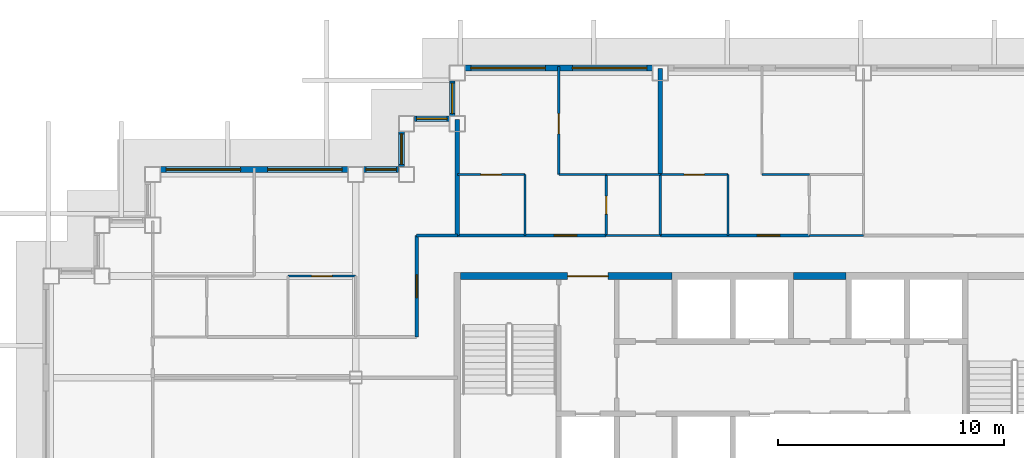
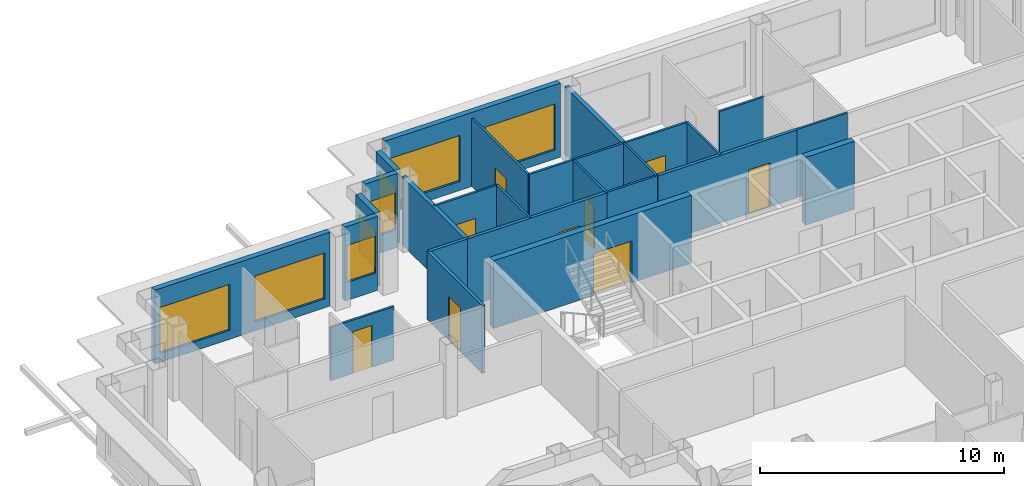
# One storey, part 6 of 12: 27 walls, 9 doors, 8 windows, 17 openings.
"""IFC4 building model written with IfcOpenShell, lengths in metres."""

from ifc_helpers import new_model, si_unit, direction, frame, frame_2d, origin, place, context, subcontext, project, spatial, rectangle, extrude, material, layer, layer_set, type_object, element, fill, save


model = new_model("IFC4")

# Units and contexts
model_context = context("Model", 3, precision=1e-05, world=origin(), true_north=direction((0.0, 1.0)))
body_context = subcontext(model_context, "Body", "Model", "MODEL_VIEW")
ifc_project = project(units=[si_unit("LENGTHUNIT", "METRE"), si_unit("AREAUNIT", "SQUARE_METRE"), si_unit("VOLUMEUNIT", "CUBIC_METRE"), si_unit("PLANEANGLEUNIT", "RADIAN"), si_unit("MASSUNIT", "GRAM", prefix="KILO")], contexts=[model_context])

# Site, building, storey
site_placement = place(None, origin())
site = spatial("IfcSite", under=ifc_project, at=site_placement, CompositionType="ELEMENT")
building_placement = place(site_placement, origin())
building = spatial("IfcBuilding", under=site, at=building_placement, Name="Caravel Reach Hotel and Residences", CompositionType="ELEMENT")
storey_placement = place(building_placement, frame((0.0, 0.0, 203.5)))
storey = spatial("IfcBuildingStorey", under=building, at=storey_placement, Name="L51", CompositionType="ELEMENT", Elevation=203.5)

# Walls
ifc_material_1 = material(Name="Gypsum board on steel stud", Category="steel")
ifc_layer_1 = layer(ifc_material_1, 0.10009765625)
ifc_layer_set_1 = layer_set([ifc_layer_1], Name="Bathroom pod wall 100 mm")
wall_type_1 = type_object("IfcWallType", Name="Bathroom pod wall 100 mm", PredefinedType="PARTITIONING", material=ifc_layer_set_1)
for number, where, z_axis, x_axis, name in (
    (1, (24.60009765625, 33.300048828125, 0.0), (0.0, 0.0, 1.0), (1.0, 0.0, 0.0), "L51 wall w068"),
    (2, (33.60009765625, 33.300048828125, 0.0), (0.0, 0.0, 1.0), (1.0, 0.0, 0.0), "L51 wall w069"),
    (3, (24.60009765625, 36.0, 0.0), (0.0, 0.0, 1.0), (1.0, 0.0, 0.0), "L51 wall w070"),
):
    element("IfcWall", number, at=place(storey_placement, frame(where, z_axis=z_axis, x_axis=x_axis)), inside=storey, type_object=wall_type_1, Name=name, PredefinedType="PARTITIONING", context=body_context, shape_type="SweptSolid", body=[
        extrude(rectangle(XDim=2.39990234375, YDim=0.10009765625, at=frame_2d((1.199951171875, 0.0))), origin(), (0.0, 0.0, 1.0), 3.39990234375),
    ])

# Wall, opening, door
wall_1_placement = place(storey_placement, frame((24.60009765625, 33.300048828125, 0.0), z_axis=(0.0, 0.0, 1.0), x_axis=(0.0, 1.0, 0.0)))
wall_1 = element("IfcWall", 4, at=wall_1_placement, inside=storey, type_object=wall_type_1, Name="L51 wall w074", PredefinedType="PARTITIONING", context=body_context, shape_type="SweptSolid", body=[
    extrude(rectangle(XDim=2.699951171875, YDim=0.10009765625, at=frame_2d((1.35009765625, 0.0))), origin(), (0.0, 0.0, 1.0), 3.39990234375),
])
opening_1_placement = place(wall_1_placement, frame((0.949951171875, 0.0, 0.0)))
opening_1 = element("IfcOpeningElement", 5, at=opening_1_placement, cuts=wall_1, Name="Opening D51-019", PredefinedType="OPENING", context=body_context, shape_type="SweptSolid", body=[
    extrude(rectangle(XDim=0.800048828125, YDim=2.10009765625, at=frame_2d((0.39990234375, 1.050048828125))), frame((0.0, 0.06005859375, 0.0), z_axis=(0.0, -1.0, 0.0), x_axis=(1.0, 0.0, 0.0)), (0.0, 0.0, 1.0), 0.1201171875),
])
ifc_material_2 = material(Name="Timber and steel door leaf", Category="steel")
door_type_1 = type_object("IfcDoorType", Name="Bathroom door 800 x 2100", OperationType="SINGLE_SWING_LEFT", PredefinedType="DOOR", material=ifc_material_2)
door_1_placement = place(opening_1_placement, origin())
door_1 = element("IfcDoor", 6, at=door_1_placement, inside=storey, type_object=door_type_1, Name="door D51-019", OperationType="SINGLE_SWING_LEFT", OverallHeight=2.10009765625, OverallWidth=0.800048828125, PredefinedType="DOOR", context=body_context, shape_type="SweptSolid", body=[
    extrude(rectangle(XDim=0.800048828125, YDim=2.10009765625, at=frame_2d((0.39990234375, 1.050048828125))), frame((0.0, 0.02490234375, 0.0), z_axis=(0.0, -1.0, 0.0), x_axis=(1.0, 0.0, 0.0)), (0.0, 0.0, 1.0), 0.050048828125),
])
fill(opening_1, door_1)

# Wall
wall_2_placement = place(storey_placement, frame((27.0, 33.300048828125, 0.0), z_axis=(0.0, 0.0, 1.0), x_axis=(0.0, 1.0, 0.0)))
element("IfcWall", 7, at=wall_2_placement, inside=storey, type_object=wall_type_1, Name="L51 wall w075", PredefinedType="PARTITIONING", context=body_context, shape_type="SweptSolid", body=[
    extrude(rectangle(XDim=2.699951171875, YDim=0.10009765625, at=frame_2d((1.35009765625, 0.0))), origin(), (0.0, 0.0, 1.0), 3.39990234375),
])

# Wall, opening, door
ifc_material_3 = material(Name="Concrete C60", Category="concrete")
ifc_layer_2 = layer(ifc_material_3, 0.300048828125)
ifc_layer_set_2 = layer_set([ifc_layer_2], Name="Core wall 300 mm EI 120")
wall_type_2 = type_object("IfcWallType", Name="Core wall 300 mm EI 120", PredefinedType="SHEAR", material=ifc_layer_set_2)
wall_3_placement = place(storey_placement, frame((18.14990234375, 31.5, 0.0), z_axis=(0.0, 0.0, 1.0), x_axis=(1.0, 0.0, 0.0)))
wall_3 = element("IfcWall", 8, at=wall_3_placement, inside=storey, type_object=wall_type_2, Name="L51 core wall N1", PredefinedType="SHEAR", context=body_context, shape_type="SweptSolid", body=[
    extrude(rectangle(XDim=9.367919921875, YDim=0.300048828125, at=frame_2d((4.68408203125, 0.0))), origin(), (0.0, 0.0, 1.0), 3.39990234375),
])
opening_2_placement = place(wall_3_placement, frame((4.735595703125, 0.0, 0.0)))
opening_2 = element("IfcOpeningElement", 9, at=opening_2_placement, cuts=wall_3, Name="Opening D51-015", PredefinedType="OPENING", context=body_context, shape_type="SweptSolid", body=[
    extrude(rectangle(XDim=1.800048828125, YDim=2.10009765625, at=frame_2d((0.89990234375, 1.050048828125))), frame((0.0, 0.159912109375, 0.0), z_axis=(0.0, -1.0, 0.0), x_axis=(1.0, 0.0, 0.0)), (0.0, 0.0, 1.0), 0.320068359375),
])
ifc_material_4 = material(Name="Steel fire door leaf", Category="steel")
door_type_2 = type_object("IfcDoorType", Name="Fire lobby door pair 1800 x 2100 EI 90", OperationType="DOUBLE_DOOR_SINGLE_SWING", PredefinedType="DOOR", material=ifc_material_4)
door_2_placement = place(opening_2_placement, origin())
door_2 = element("IfcDoor", 10, at=door_2_placement, inside=storey, type_object=door_type_2, Name="lobby N door pair to corridor", OperationType="DOUBLE_DOOR_SINGLE_SWING", OverallHeight=2.10009765625, OverallWidth=1.800048828125, PredefinedType="DOOR", context=body_context, shape_type="SweptSolid", body=[
    extrude(rectangle(XDim=1.800048828125, YDim=2.10009765625, at=frame_2d((0.89990234375, 1.050048828125))), frame((0.0, 0.02490234375, 0.0), z_axis=(0.0, -1.0, 0.0), x_axis=(1.0, 0.0, 0.0)), (0.0, 0.0, 1.0), 0.050048828125),
])
fill(opening_2, door_2)

# Wall
wall_4_placement = place(storey_placement, frame((32.91064453125, 31.5, 0.0), z_axis=(0.0, 0.0, 1.0), x_axis=(1.0, 0.0, 0.0)))
element("IfcWall", 11, at=wall_4_placement, inside=storey, type_object=wall_type_2, Name="L51 core wall N2", PredefinedType="SHEAR", context=body_context, shape_type="SweptSolid", body=[
    extrude(rectangle(XDim=2.321533203125, YDim=0.300048828125, at=frame_2d((1.16064453125, 0.0))), origin(), (0.0, 0.0, 1.0), 3.39990234375),
])

# Wall, opening, door
ifc_material_5 = material(Name="Gypsum board on steel stud, fire-rated", Category="steel")
ifc_layer_3 = layer(ifc_material_5, 0.14990234375)
ifc_layer_set_3 = layer_set([ifc_layer_3], Name="Corridor wall 150 mm EI 60")
wall_type_3 = type_object("IfcWallType", Name="Corridor wall 150 mm EI 60", PredefinedType="PARTITIONING", material=ifc_layer_set_3)
wall_5_placement = place(storey_placement, frame((18.0, 33.300048828125, 0.0), z_axis=(0.0, 0.0, 1.0), x_axis=(1.0, 0.0, 0.0)))
wall_5 = element("IfcWall", 12, at=wall_5_placement, inside=storey, type_object=wall_type_3, Name="L51 wall w011", PredefinedType="PARTITIONING", context=body_context, shape_type="SweptSolid", body=[
    extrude(rectangle(XDim=6.60009765625, YDim=0.14990234375, at=frame_2d((3.300048828125, 0.0))), origin(), (0.0, 0.0, 1.0), 3.39990234375),
])
opening_3_placement = place(wall_5_placement, frame((4.300048828125, 0.0, 0.0)))
opening_3 = element("IfcOpeningElement", 13, at=opening_3_placement, cuts=wall_5, Name="Opening D51-017", PredefinedType="OPENING", context=body_context, shape_type="SweptSolid", body=[
    extrude(rectangle(XDim=1.0, YDim=2.199951171875, at=frame_2d((0.5, 1.10009765625))), frame((0.0, 0.0849609375, 0.0), z_axis=(0.0, -1.0, 0.0), x_axis=(1.0, 0.0, 0.0)), (0.0, 0.0, 1.0), 0.169921875),
])
ifc_material_6 = material(Name="Steel fire door leaf", Category="steel")
door_type_3 = type_object("IfcDoorType", Name="Flat entrance door 1000 x 2200 EI 60", OperationType="SINGLE_SWING_LEFT", PredefinedType="DOOR", material=ifc_material_6)
door_3_placement = place(opening_3_placement, origin())
door_3 = element("IfcDoor", 14, at=door_3_placement, inside=storey, type_object=door_type_3, Name="door D51-017", OperationType="SINGLE_SWING_LEFT", OverallHeight=2.199951171875, OverallWidth=1.0, PredefinedType="DOOR", context=body_context, shape_type="SweptSolid", body=[
    extrude(rectangle(XDim=1.0, YDim=2.199951171875, at=frame_2d((0.5, 1.10009765625))), frame((0.0, 0.02490234375, 0.0), z_axis=(0.0, -1.0, 0.0), x_axis=(1.0, 0.0, 0.0)), (0.0, 0.0, 1.0), 0.050048828125),
])
fill(opening_3, door_3)

wall_6_placement = place(storey_placement, frame((27.0, 33.300048828125, 0.0), z_axis=(0.0, 0.0, 1.0), x_axis=(1.0, 0.0, 0.0)))
wall_6 = element("IfcWall", 15, at=wall_6_placement, inside=storey, type_object=wall_type_3, Name="L51 wall w013", PredefinedType="PARTITIONING", context=body_context, shape_type="SweptSolid", body=[
    extrude(rectangle(XDim=6.60009765625, YDim=0.14990234375, at=frame_2d((3.300048828125, 0.0))), origin(), (0.0, 0.0, 1.0), 3.39990234375),
])
opening_4_placement = place(wall_6_placement, frame((4.300048828125, 0.0, 0.0)))
opening_4 = element("IfcOpeningElement", 16, at=opening_4_placement, cuts=wall_6, Name="Opening D51-021", PredefinedType="OPENING", context=body_context, shape_type="SweptSolid", body=[
    extrude(rectangle(XDim=1.0, YDim=2.199951171875, at=frame_2d((0.5, 1.10009765625))), frame((0.0, 0.0849609375, 0.0), z_axis=(0.0, -1.0, 0.0), x_axis=(1.0, 0.0, 0.0)), (0.0, 0.0, 1.0), 0.169921875),
])
door_4_placement = place(opening_4_placement, origin())
door_4 = element("IfcDoor", 17, at=door_4_placement, inside=storey, type_object=door_type_3, Name="door D51-021", OperationType="SINGLE_SWING_LEFT", OverallHeight=2.199951171875, OverallWidth=1.0, PredefinedType="DOOR", context=body_context, shape_type="SweptSolid", body=[
    extrude(rectangle(XDim=1.0, YDim=2.199951171875, at=frame_2d((0.5, 1.10009765625))), frame((0.0, 0.02490234375, 0.0), z_axis=(0.0, -1.0, 0.0), x_axis=(1.0, 0.0, 0.0)), (0.0, 0.0, 1.0), 0.050048828125),
])
fill(opening_4, door_4)

# Wall
wall_7_placement = place(storey_placement, frame((16.199951171875, 33.300048828125, 0.0), z_axis=(0.0, 0.0, 1.0), x_axis=(1.0, 0.0, 0.0)))
element("IfcWall", 18, at=wall_7_placement, inside=storey, type_object=wall_type_3, Name="L51 wall w015", PredefinedType="PARTITIONING", context=body_context, shape_type="SweptSolid", body=[
    extrude(rectangle(XDim=1.799072265625, YDim=0.14990234375, at=frame_2d((0.8994140625, 0.0))), origin(), (0.0, 0.0, 1.0), 3.39990234375),
])

# Wall, opening, door
wall_8_placement = place(storey_placement, frame((16.199951171875, 28.801025390625, 0.0), z_axis=(0.0, 0.0, 1.0), x_axis=(0.0, 1.0, 0.0)))
wall_8 = element("IfcWall", 19, at=wall_8_placement, inside=storey, type_object=wall_type_3, Name="L51 wall w017", PredefinedType="PARTITIONING", context=body_context, shape_type="SweptSolid", body=[
    extrude(rectangle(XDim=4.4990234375, YDim=0.14990234375, at=frame_2d((2.24951171875, 0.0))), origin(), (0.0, 0.0, 1.0), 3.39990234375),
])
opening_5_placement = place(wall_8_placement, frame((1.74951171875, 0.0, 0.0)))
opening_5 = element("IfcOpeningElement", 20, at=opening_5_placement, cuts=wall_8, Name="Opening D51-026", PredefinedType="OPENING", context=body_context, shape_type="SweptSolid", body=[
    extrude(rectangle(XDim=1.0, YDim=2.199951171875, at=frame_2d((0.5, 1.10009765625))), frame((0.0, 0.0849609375, 0.0), z_axis=(0.0, -1.0, 0.0), x_axis=(1.0, 0.0, 0.0)), (0.0, 0.0, 1.0), 0.169921875),
])
door_5_placement = place(opening_5_placement, origin())
door_5 = element("IfcDoor", 21, at=door_5_placement, inside=storey, type_object=door_type_3, Name="door D51-026", OperationType="SINGLE_SWING_RIGHT", OverallHeight=2.199951171875, OverallWidth=1.0, PredefinedType="DOOR", context=body_context, shape_type="SweptSolid", body=[
    extrude(rectangle(XDim=1.0, YDim=2.199951171875, at=frame_2d((0.5, 1.10009765625))), frame((0.0, 0.02490234375, 0.0), z_axis=(0.0, -1.0, 0.0), x_axis=(1.0, 0.0, 0.0)), (0.0, 0.0, 1.0), 0.050048828125),
])
fill(opening_5, door_5)

# Wall, openings, windows
ifc_material_7 = material(Name="Insulated rainscreen wall, aluminium cladding", Category="aluminium")
ifc_layer_4 = layer(ifc_material_7, 0.25)
ifc_layer_set_4 = layer_set([ifc_layer_4], Name="EW1 Tower rainscreen wall")
wall_type_4 = type_object("IfcWallType", Name="EW1 Tower rainscreen wall", PredefinedType="SOLIDWALL", material=ifc_layer_set_4)
wall_9_placement = place(storey_placement, frame((26.64990234375, 40.72509765625, 0.0), z_axis=(0.0, 0.0, 1.0), x_axis=(-1.0, 0.0, 0.0)))
wall_9 = element("IfcWall", 22, at=wall_9_placement, inside=storey, type_object=wall_type_4, Name="External wall L51 N11.3", PredefinedType="SOLIDWALL", context=body_context, shape_type="SweptSolid", body=[
    extrude(rectangle(XDim=8.2998046875, YDim=0.25, at=frame_2d((4.14990234375, 0.0))), origin(), (0.0, 0.0, 1.0), 3.699951171875),
])
opening_6_placement = place(wall_9_placement, frame((0.25, 0.0, 0.449951171875)))
opening_6 = element("IfcOpeningElement", 23, at=opening_6_placement, cuts=wall_9, Name="Opening WN15", PredefinedType="OPENING", context=body_context, shape_type="SweptSolid", body=[
    extrude(rectangle(XDim=3.300048828125, YDim=2.300048828125, at=frame_2d((1.64990234375, 1.14990234375))), frame((0.0, 0.135009765625, 0.0), z_axis=(0.0, -1.0, 0.0), x_axis=(1.0, 0.0, 0.0)), (0.0, 0.0, 1.0), 0.27001953125),
])
opening_7_placement = place(wall_9_placement, frame((4.75, 0.0, 0.449951171875)))
opening_7 = element("IfcOpeningElement", 24, at=opening_7_placement, cuts=wall_9, Name="Opening WN15", PredefinedType="OPENING", context=body_context, shape_type="SweptSolid", body=[
    extrude(rectangle(XDim=3.300048828125, YDim=2.300048828125, at=frame_2d((1.64990234375, 1.14990234375))), frame((0.0, 0.135009765625, 0.0), z_axis=(0.0, -1.0, 0.0), x_axis=(1.0, 0.0, 0.0)), (0.0, 0.0, 1.0), 0.27001953125),
])
ifc_material_8 = material(Name="Dark low-e glazing in black aluminium frame", Category="aluminium")
window_type_1 = type_object("IfcWindowType", Name="Residence living window 3300 x 2300", PartitioningType="SINGLE_PANEL", PredefinedType="WINDOW", material=ifc_material_8)
window_1_placement = place(opening_6_placement, origin())
window_1 = element("IfcWindow", 25, at=window_1_placement, inside=storey, type_object=window_type_1, Name="Window L51 N11.3.1", OverallHeight=2.300048828125, OverallWidth=3.300048828125, PartitioningType="SINGLE_PANEL", PredefinedType="WINDOW", context=body_context, shape_type="SweptSolid", body=[
    extrude(rectangle(XDim=3.300048828125, YDim=2.300048828125, at=frame_2d((1.64990234375, 1.14990234375))), frame((0.0, 0.030029296875, 0.0), z_axis=(0.0, -1.0, 0.0), x_axis=(1.0, 0.0, 0.0)), (0.0, 0.0, 1.0), 0.06005859375),
])
fill(opening_6, window_1)
window_2_placement = place(opening_7_placement, origin())
window_2 = element("IfcWindow", 26, at=window_2_placement, inside=storey, type_object=window_type_1, Name="Window L51 N11.3.2", OverallHeight=2.300048828125, OverallWidth=3.300048828125, PartitioningType="SINGLE_PANEL", PredefinedType="WINDOW", context=body_context, shape_type="SweptSolid", body=[
    extrude(rectangle(XDim=3.300048828125, YDim=2.300048828125, at=frame_2d((1.64990234375, 1.14990234375))), frame((0.0, 0.030029296875, 0.0), z_axis=(0.0, -1.0, 0.0), x_axis=(1.0, 0.0, 0.0)), (0.0, 0.0, 1.0), 0.06005859375),
])
fill(opening_7, window_2)

# Wall, opening, window
wall_10_placement = place(storey_placement, frame((17.77490234375, 40.14990234375, 0.0), z_axis=(0.0, 0.0, 1.0), x_axis=(0.0, -1.0, 0.0)))
wall_10 = element("IfcWall", 27, at=wall_10_placement, inside=storey, type_object=wall_type_4, Name="External wall L51 W12.1", PredefinedType="SOLIDWALL", context=body_context, shape_type="SweptSolid", body=[
    extrude(rectangle(XDim=1.5498046875, YDim=0.25, at=frame_2d((0.77490234375, 0.0))), origin(), (0.0, 0.0, 1.0), 3.699951171875),
])
opening_8_placement = place(wall_10_placement, frame((0.10009765625, 0.0, 0.89990234375)))
opening_8 = element("IfcOpeningElement", 28, at=opening_8_placement, cuts=wall_10, Name="Opening WN21", PredefinedType="OPENING", context=body_context, shape_type="SweptSolid", body=[
    extrude(rectangle(XDim=1.35009765625, YDim=1.85009765625, at=frame_2d((0.675048828125, 0.925048828125))), frame((0.0, 0.135009765625, 0.0), z_axis=(0.0, -1.0, 0.0), x_axis=(1.0, 0.0, 0.0)), (0.0, 0.0, 1.0), 0.27001953125),
])
ifc_material_9 = material(Name="Dark low-e glazing in black aluminium frame", Category="aluminium")
window_type_2 = type_object("IfcWindowType", Name="Residence bedroom window 1350 x 1850", PartitioningType="SINGLE_PANEL", PredefinedType="WINDOW", material=ifc_material_9)
window_3_placement = place(opening_8_placement, origin())
window_3 = element("IfcWindow", 29, at=window_3_placement, inside=storey, type_object=window_type_2, Name="Window L51 W12.1.1", OverallHeight=1.85009765625, OverallWidth=1.35009765625, PartitioningType="SINGLE_PANEL", PredefinedType="WINDOW", context=body_context, shape_type="SweptSolid", body=[
    extrude(rectangle(XDim=1.35009765625, YDim=1.85009765625, at=frame_2d((0.675048828125, 0.925048828125))), frame((0.0, 0.030029296875, 0.0), z_axis=(0.0, -1.0, 0.0), x_axis=(1.0, 0.0, 0.0)), (0.0, 0.0, 1.0), 0.06005859375),
])
fill(opening_8, window_3)

wall_11_placement = place(storey_placement, frame((17.64990234375, 38.47509765625, 0.0), z_axis=(0.0, 0.0, 1.0), x_axis=(-1.0, 0.0, 0.0)))
wall_11 = element("IfcWall", 30, at=wall_11_placement, inside=storey, type_object=wall_type_4, Name="External wall L51 N13.1", PredefinedType="SOLIDWALL", context=body_context, shape_type="SweptSolid", body=[
    extrude(rectangle(XDim=1.5498046875, YDim=0.25, at=frame_2d((0.77490234375, 0.0))), origin(), (0.0, 0.0, 1.0), 3.699951171875),
])
opening_9_placement = place(wall_11_placement, frame((0.10009765625, 0.0, 0.89990234375)))
opening_9 = element("IfcOpeningElement", 31, at=opening_9_placement, cuts=wall_11, Name="Opening WN21", PredefinedType="OPENING", context=body_context, shape_type="SweptSolid", body=[
    extrude(rectangle(XDim=1.35009765625, YDim=1.85009765625, at=frame_2d((0.675048828125, 0.925048828125))), frame((0.0, 0.135009765625, 0.0), z_axis=(0.0, -1.0, 0.0), x_axis=(1.0, 0.0, 0.0)), (0.0, 0.0, 1.0), 0.27001953125),
])
window_4_placement = place(opening_9_placement, origin())
window_4 = element("IfcWindow", 32, at=window_4_placement, inside=storey, type_object=window_type_2, Name="Window L51 N13.1.1", OverallHeight=1.85009765625, OverallWidth=1.35009765625, PartitioningType="SINGLE_PANEL", PredefinedType="WINDOW", context=body_context, shape_type="SweptSolid", body=[
    extrude(rectangle(XDim=1.35009765625, YDim=1.85009765625, at=frame_2d((0.675048828125, 0.925048828125))), frame((0.0, 0.030029296875, 0.0), z_axis=(0.0, -1.0, 0.0), x_axis=(1.0, 0.0, 0.0)), (0.0, 0.0, 1.0), 0.06005859375),
])
fill(opening_9, window_4)

wall_12_placement = place(storey_placement, frame((15.52490234375, 37.89990234375, 0.0), z_axis=(0.0, 0.0, 1.0), x_axis=(0.0, -1.0, 0.0)))
wall_12 = element("IfcWall", 33, at=wall_12_placement, inside=storey, type_object=wall_type_4, Name="External wall L51 W14.1", PredefinedType="SOLIDWALL", context=body_context, shape_type="SweptSolid", body=[
    extrude(rectangle(XDim=1.5498046875, YDim=0.25, at=frame_2d((0.77490234375, 0.0))), origin(), (0.0, 0.0, 1.0), 3.699951171875),
])
opening_10_placement = place(wall_12_placement, frame((0.10009765625, 0.0, 0.89990234375)))
opening_10 = element("IfcOpeningElement", 34, at=opening_10_placement, cuts=wall_12, Name="Opening WN21", PredefinedType="OPENING", context=body_context, shape_type="SweptSolid", body=[
    extrude(rectangle(XDim=1.35009765625, YDim=1.85009765625, at=frame_2d((0.675048828125, 0.925048828125))), frame((0.0, 0.135009765625, 0.0), z_axis=(0.0, -1.0, 0.0), x_axis=(1.0, 0.0, 0.0)), (0.0, 0.0, 1.0), 0.27001953125),
])
window_5_placement = place(opening_10_placement, origin())
window_5 = element("IfcWindow", 35, at=window_5_placement, inside=storey, type_object=window_type_2, Name="Window L51 W14.1.1", OverallHeight=1.85009765625, OverallWidth=1.35009765625, PartitioningType="SINGLE_PANEL", PredefinedType="WINDOW", context=body_context, shape_type="SweptSolid", body=[
    extrude(rectangle(XDim=1.35009765625, YDim=1.85009765625, at=frame_2d((0.675048828125, 0.925048828125))), frame((0.0, 0.030029296875, 0.0), z_axis=(0.0, -1.0, 0.0), x_axis=(1.0, 0.0, 0.0)), (0.0, 0.0, 1.0), 0.06005859375),
])
fill(opening_10, window_5)

wall_13_placement = place(storey_placement, frame((15.39990234375, 36.22509765625, 0.0), z_axis=(0.0, 0.0, 1.0), x_axis=(-1.0, 0.0, 0.0)))
wall_13 = element("IfcWall", 36, at=wall_13_placement, inside=storey, type_object=wall_type_4, Name="External wall L51 N15.1", PredefinedType="SOLIDWALL", context=body_context, shape_type="SweptSolid", body=[
    extrude(rectangle(XDim=1.5498046875, YDim=0.25, at=frame_2d((0.77490234375, 0.0))), origin(), (0.0, 0.0, 1.0), 3.699951171875),
])
opening_11_placement = place(wall_13_placement, frame((0.10009765625, 0.0, 0.89990234375)))
opening_11 = element("IfcOpeningElement", 37, at=opening_11_placement, cuts=wall_13, Name="Opening WN21", PredefinedType="OPENING", context=body_context, shape_type="SweptSolid", body=[
    extrude(rectangle(XDim=1.35009765625, YDim=1.85009765625, at=frame_2d((0.675048828125, 0.925048828125))), frame((0.0, 0.135009765625, 0.0), z_axis=(0.0, -1.0, 0.0), x_axis=(1.0, 0.0, 0.0)), (0.0, 0.0, 1.0), 0.27001953125),
])
window_6_placement = place(opening_11_placement, origin())
window_6 = element("IfcWindow", 38, at=window_6_placement, inside=storey, type_object=window_type_2, Name="Window L51 N15.1.1", OverallHeight=1.85009765625, OverallWidth=1.35009765625, PartitioningType="SINGLE_PANEL", PredefinedType="WINDOW", context=body_context, shape_type="SweptSolid", body=[
    extrude(rectangle(XDim=1.35009765625, YDim=1.85009765625, at=frame_2d((0.675048828125, 0.925048828125))), frame((0.0, 0.030029296875, 0.0), z_axis=(0.0, -1.0, 0.0), x_axis=(1.0, 0.0, 0.0)), (0.0, 0.0, 1.0), 0.06005859375),
])
fill(opening_11, window_6)

# Wall, openings, windows
wall_14_placement = place(storey_placement, frame((13.14990234375, 36.22509765625, 0.0), z_axis=(0.0, 0.0, 1.0), x_axis=(-1.0, 0.0, 0.0)))
wall_14 = element("IfcWall", 39, at=wall_14_placement, inside=storey, type_object=wall_type_4, Name="External wall L51 N15.2", PredefinedType="SOLIDWALL", context=body_context, shape_type="SweptSolid", body=[
    extrude(rectangle(XDim=8.2998046875, YDim=0.25, at=frame_2d((4.14990234375, 0.0))), origin(), (0.0, 0.0, 1.0), 3.699951171875),
])
opening_12_placement = place(wall_14_placement, frame((0.25, 0.0, 0.449951171875)))
opening_12 = element("IfcOpeningElement", 40, at=opening_12_placement, cuts=wall_14, Name="Opening WN15", PredefinedType="OPENING", context=body_context, shape_type="SweptSolid", body=[
    extrude(rectangle(XDim=3.300048828125, YDim=2.300048828125, at=frame_2d((1.64990234375, 1.14990234375))), frame((0.0, 0.135009765625, 0.0), z_axis=(0.0, -1.0, 0.0), x_axis=(1.0, 0.0, 0.0)), (0.0, 0.0, 1.0), 0.27001953125),
])
opening_13_placement = place(wall_14_placement, frame((4.75, 0.0, 0.449951171875)))
opening_13 = element("IfcOpeningElement", 41, at=opening_13_placement, cuts=wall_14, Name="Opening WN15", PredefinedType="OPENING", context=body_context, shape_type="SweptSolid", body=[
    extrude(rectangle(XDim=3.300048828125, YDim=2.300048828125, at=frame_2d((1.64990234375, 1.14990234375))), frame((0.0, 0.135009765625, 0.0), z_axis=(0.0, -1.0, 0.0), x_axis=(1.0, 0.0, 0.0)), (0.0, 0.0, 1.0), 0.27001953125),
])
window_7_placement = place(opening_12_placement, origin())
window_7 = element("IfcWindow", 42, at=window_7_placement, inside=storey, type_object=window_type_1, Name="Window L51 N15.2.1", OverallHeight=2.300048828125, OverallWidth=3.300048828125, PartitioningType="SINGLE_PANEL", PredefinedType="WINDOW", context=body_context, shape_type="SweptSolid", body=[
    extrude(rectangle(XDim=3.300048828125, YDim=2.300048828125, at=frame_2d((1.64990234375, 1.14990234375))), frame((0.0, 0.030029296875, 0.0), z_axis=(0.0, -1.0, 0.0), x_axis=(1.0, 0.0, 0.0)), (0.0, 0.0, 1.0), 0.06005859375),
])
fill(opening_12, window_7)
window_8_placement = place(opening_13_placement, origin())
window_8 = element("IfcWindow", 43, at=window_8_placement, inside=storey, type_object=window_type_1, Name="Window L51 N15.2.2", OverallHeight=2.300048828125, OverallWidth=3.300048828125, PartitioningType="SINGLE_PANEL", PredefinedType="WINDOW", context=body_context, shape_type="SweptSolid", body=[
    extrude(rectangle(XDim=3.300048828125, YDim=2.300048828125, at=frame_2d((1.64990234375, 1.14990234375))), frame((0.0, 0.030029296875, 0.0), z_axis=(0.0, -1.0, 0.0), x_axis=(1.0, 0.0, 0.0)), (0.0, 0.0, 1.0), 0.06005859375),
])
fill(opening_13, window_8)

# Wall, opening, door
ifc_material_10 = material(Name="Gypsum board on steel stud", Category="steel")
ifc_layer_5 = layer(ifc_material_10, 0.10009765625)
ifc_layer_set_5 = layer_set([ifc_layer_5], Name="Partition 100 mm")
wall_type_5 = type_object("IfcWallType", Name="Partition 100 mm", PredefinedType="PARTITIONING", material=ifc_layer_set_5)
wall_15_placement = place(storey_placement, frame((10.5, 31.5, 0.0), z_axis=(0.0, 0.0, 1.0), x_axis=(1.0, 0.0, 0.0)))
wall_15 = element("IfcWall", 44, at=wall_15_placement, inside=storey, type_object=wall_type_5, Name="L51 wall w033", PredefinedType="PARTITIONING", context=body_context, shape_type="SweptSolid", body=[
    extrude(rectangle(XDim=3.0, YDim=0.10009765625, at=frame_2d((1.5, 0.0))), origin(), (0.0, 0.0, 1.0), 2.679931640625),
])
opening_14_placement = place(wall_15_placement, frame((1.050048828125, 0.0, 0.0)))
opening_14 = element("IfcOpeningElement", 45, at=opening_14_placement, cuts=wall_15, Name="Opening D51-028", PredefinedType="OPENING", context=body_context, shape_type="SweptSolid", body=[
    extrude(rectangle(XDim=0.89990234375, YDim=2.10009765625, at=frame_2d((0.449951171875, 1.050048828125))), frame((0.0, 0.06005859375, 0.0), z_axis=(0.0, -1.0, 0.0), x_axis=(1.0, 0.0, 0.0)), (0.0, 0.0, 1.0), 0.1201171875),
])
ifc_material_11 = material(Name="Timber and steel door leaf", Category="steel")
door_type_4 = type_object("IfcDoorType", Name="Door 900 x 2100 timber", OperationType="SINGLE_SWING_LEFT", PredefinedType="DOOR", material=ifc_material_11)
door_6_placement = place(opening_14_placement, origin())
door_6 = element("IfcDoor", 46, at=door_6_placement, inside=storey, type_object=door_type_4, Name="door D51-028", OperationType="SINGLE_SWING_LEFT", OverallHeight=2.10009765625, OverallWidth=0.89990234375, PredefinedType="DOOR", context=body_context, shape_type="SweptSolid", body=[
    extrude(rectangle(XDim=0.89990234375, YDim=2.10009765625, at=frame_2d((0.449951171875, 1.050048828125))), frame((0.0, 0.02490234375, 0.0), z_axis=(0.0, -1.0, 0.0), x_axis=(1.0, 0.0, 0.0)), (0.0, 0.0, 1.0), 0.050048828125),
])
fill(opening_14, door_6)

# Wall
wall_16_placement = place(storey_placement, frame((22.5, 36.0, 0.0), z_axis=(0.0, 0.0, 1.0), x_axis=(1.0, 0.0, 0.0)))
element("IfcWall", 47, at=wall_16_placement, inside=storey, type_object=wall_type_5, Name="L51 wall w034", PredefinedType="PARTITIONING", context=body_context, shape_type="SweptSolid", body=[
    extrude(rectangle(XDim=2.10009765625, YDim=0.10009765625, at=frame_2d((1.050048828125, 0.0))), origin(), (0.0, 0.0, 1.0), 3.39990234375),
])

# Wall, opening, door
wall_17_placement = place(storey_placement, frame((18.0, 36.0, 0.0), z_axis=(0.0, 0.0, 1.0), x_axis=(1.0, 0.0, 0.0)))
wall_17 = element("IfcWall", 48, at=wall_17_placement, inside=storey, type_object=wall_type_5, Name="L51 wall w035", PredefinedType="PARTITIONING", context=body_context, shape_type="SweptSolid", body=[
    extrude(rectangle(XDim=3.0, YDim=0.10009765625, at=frame_2d((1.5, 0.0))), origin(), (0.0, 0.0, 1.0), 3.39990234375),
])
opening_15_placement = place(wall_17_placement, frame((1.050048828125, 0.0, 0.0)))
opening_15 = element("IfcOpeningElement", 49, at=opening_15_placement, cuts=wall_17, Name="Opening D51-018", PredefinedType="OPENING", context=body_context, shape_type="SweptSolid", body=[
    extrude(rectangle(XDim=0.89990234375, YDim=2.10009765625, at=frame_2d((0.449951171875, 1.050048828125))), frame((0.0, 0.06005859375, 0.0), z_axis=(0.0, -1.0, 0.0), x_axis=(1.0, 0.0, 0.0)), (0.0, 0.0, 1.0), 0.1201171875),
])
door_7_placement = place(opening_15_placement, origin())
door_7 = element("IfcDoor", 50, at=door_7_placement, inside=storey, type_object=door_type_4, Name="door D51-018", OperationType="SINGLE_SWING_LEFT", OverallHeight=2.10009765625, OverallWidth=0.89990234375, PredefinedType="DOOR", context=body_context, shape_type="SweptSolid", body=[
    extrude(rectangle(XDim=0.89990234375, YDim=2.10009765625, at=frame_2d((0.449951171875, 1.050048828125))), frame((0.0, 0.02490234375, 0.0), z_axis=(0.0, -1.0, 0.0), x_axis=(1.0, 0.0, 0.0)), (0.0, 0.0, 1.0), 0.050048828125),
])
fill(opening_15, door_7)

# Wall
wall_18_placement = place(storey_placement, frame((31.5, 36.0, 0.0), z_axis=(0.0, 0.0, 1.0), x_axis=(1.0, 0.0, 0.0)))
element("IfcWall", 51, at=wall_18_placement, inside=storey, type_object=wall_type_5, Name="L51 wall w036", PredefinedType="PARTITIONING", context=body_context, shape_type="SweptSolid", body=[
    extrude(rectangle(XDim=2.10009765625, YDim=0.10009765625, at=frame_2d((1.050048828125, 0.0))), origin(), (0.0, 0.0, 1.0), 3.39990234375),
])

# Wall, opening, door
wall_19_placement = place(storey_placement, frame((27.0, 36.0, 0.0), z_axis=(0.0, 0.0, 1.0), x_axis=(1.0, 0.0, 0.0)))
wall_19 = element("IfcWall", 52, at=wall_19_placement, inside=storey, type_object=wall_type_5, Name="L51 wall w037", PredefinedType="PARTITIONING", context=body_context, shape_type="SweptSolid", body=[
    extrude(rectangle(XDim=3.0, YDim=0.10009765625, at=frame_2d((1.5, 0.0))), origin(), (0.0, 0.0, 1.0), 3.39990234375),
])
opening_16_placement = place(wall_19_placement, frame((1.050048828125, 0.0, 0.0)))
opening_16 = element("IfcOpeningElement", 53, at=opening_16_placement, cuts=wall_19, Name="Opening D51-022", PredefinedType="OPENING", context=body_context, shape_type="SweptSolid", body=[
    extrude(rectangle(XDim=0.89990234375, YDim=2.10009765625, at=frame_2d((0.449951171875, 1.050048828125))), frame((0.0, 0.06005859375, 0.0), z_axis=(0.0, -1.0, 0.0), x_axis=(1.0, 0.0, 0.0)), (0.0, 0.0, 1.0), 0.1201171875),
])
door_8_placement = place(opening_16_placement, origin())
door_8 = element("IfcDoor", 54, at=door_8_placement, inside=storey, type_object=door_type_4, Name="door D51-022", OperationType="SINGLE_SWING_LEFT", OverallHeight=2.10009765625, OverallWidth=0.89990234375, PredefinedType="DOOR", context=body_context, shape_type="SweptSolid", body=[
    extrude(rectangle(XDim=0.89990234375, YDim=2.10009765625, at=frame_2d((0.449951171875, 1.050048828125))), frame((0.0, 0.02490234375, 0.0), z_axis=(0.0, -1.0, 0.0), x_axis=(1.0, 0.0, 0.0)), (0.0, 0.0, 1.0), 0.050048828125),
])
fill(opening_16, door_8)

# Wall
wall_20_placement = place(storey_placement, frame((21.0, 33.300048828125, 0.0), z_axis=(0.0, 0.0, 1.0), x_axis=(0.0, 1.0, 0.0)))
element("IfcWall", 55, at=wall_20_placement, inside=storey, type_object=wall_type_5, Name="L51 wall w048", PredefinedType="PARTITIONING", context=body_context, shape_type="SweptSolid", body=[
    extrude(rectangle(XDim=2.699951171875, YDim=0.10009765625, at=frame_2d((1.35009765625, 0.0))), origin(), (0.0, 0.0, 1.0), 3.39990234375),
])

# Wall, opening, door
wall_21_placement = place(storey_placement, frame((22.5, 36.0, 0.0), z_axis=(0.0, 0.0, 1.0), x_axis=(0.0, 1.0, 0.0)))
wall_21 = element("IfcWall", 56, at=wall_21_placement, inside=storey, type_object=wall_type_5, Name="L51 wall w049", PredefinedType="PARTITIONING", context=body_context, shape_type="SweptSolid", body=[
    extrude(rectangle(XDim=4.7900390625, YDim=0.10009765625, at=frame_2d((2.39501953125, 0.0))), origin(), (0.0, 0.0, 1.0), 3.39990234375),
])
opening_17_placement = place(wall_21_placement, frame((1.800048828125, 0.0, 0.0)))
opening_17 = element("IfcOpeningElement", 57, at=opening_17_placement, cuts=wall_21, Name="Opening D51-020", PredefinedType="OPENING", context=body_context, shape_type="SweptSolid", body=[
    extrude(rectangle(XDim=0.89990234375, YDim=2.10009765625, at=frame_2d((0.449951171875, 1.050048828125))), frame((0.0, 0.06005859375, 0.0), z_axis=(0.0, -1.0, 0.0), x_axis=(1.0, 0.0, 0.0)), (0.0, 0.0, 1.0), 0.1201171875),
])
door_9_placement = place(opening_17_placement, origin())
door_9 = element("IfcDoor", 58, at=door_9_placement, inside=storey, type_object=door_type_4, Name="door D51-020", OperationType="SINGLE_SWING_RIGHT", OverallHeight=2.10009765625, OverallWidth=0.89990234375, PredefinedType="DOOR", context=body_context, shape_type="SweptSolid", body=[
    extrude(rectangle(XDim=0.89990234375, YDim=2.10009765625, at=frame_2d((0.449951171875, 1.050048828125))), frame((0.0, 0.02490234375, 0.0), z_axis=(0.0, -1.0, 0.0), x_axis=(1.0, 0.0, 0.0)), (0.0, 0.0, 1.0), 0.050048828125),
])
fill(opening_17, door_9)

# Walls
wall_22_placement = place(storey_placement, frame((30.0, 33.300048828125, 0.0), z_axis=(0.0, 0.0, 1.0), x_axis=(0.0, 1.0, 0.0)))
element("IfcWall", 59, at=wall_22_placement, inside=storey, type_object=wall_type_5, Name="L51 wall w052", PredefinedType="PARTITIONING", context=body_context, shape_type="SweptSolid", body=[
    extrude(rectangle(XDim=2.699951171875, YDim=0.10009765625, at=frame_2d((1.35009765625, 0.0))), origin(), (0.0, 0.0, 1.0), 3.39990234375),
])
ifc_material_12 = material(Name="Autoclaved aerated block wall")
ifc_layer_6 = layer(ifc_material_12, 0.199951171875)
ifc_layer_set_6 = layer_set([ifc_layer_6], Name="Party wall 200 mm EI 60")
wall_type_6 = type_object("IfcWallType", Name="Party wall 200 mm EI 60", PredefinedType="PARTITIONING", material=ifc_layer_set_6)
wall_23_placement = place(storey_placement, frame((18.0, 33.301025390625, 0.0), z_axis=(0.0, 0.0, 1.0), x_axis=(0.0, 1.0, 0.0)))
element("IfcWall", 60, at=wall_23_placement, inside=storey, type_object=wall_type_6, Name="L51 wall w062", PredefinedType="PARTITIONING", context=body_context, shape_type="SweptSolid", body=[
    extrude(rectangle(XDim=5.138916015625, YDim=0.199951171875, at=frame_2d((2.5693359375, 0.0))), origin(), (0.0, 0.0, 1.0), 3.39990234375),
])
wall_24_placement = place(storey_placement, frame((27.0, 36.0, 0.0), z_axis=(0.0, 0.0, 1.0), x_axis=(0.0, 1.0, 0.0)))
element("IfcWall", 61, at=wall_24_placement, inside=storey, type_object=wall_type_6, Name="L51 wall w063", PredefinedType="PARTITIONING", context=body_context, shape_type="SweptSolid", body=[
    extrude(rectangle(XDim=4.68994140625, YDim=0.199951171875, at=frame_2d((2.344970703125, 0.0))), origin(), (0.0, 0.0, 1.0), 3.39990234375),
])

save(model, "model.ifc")
